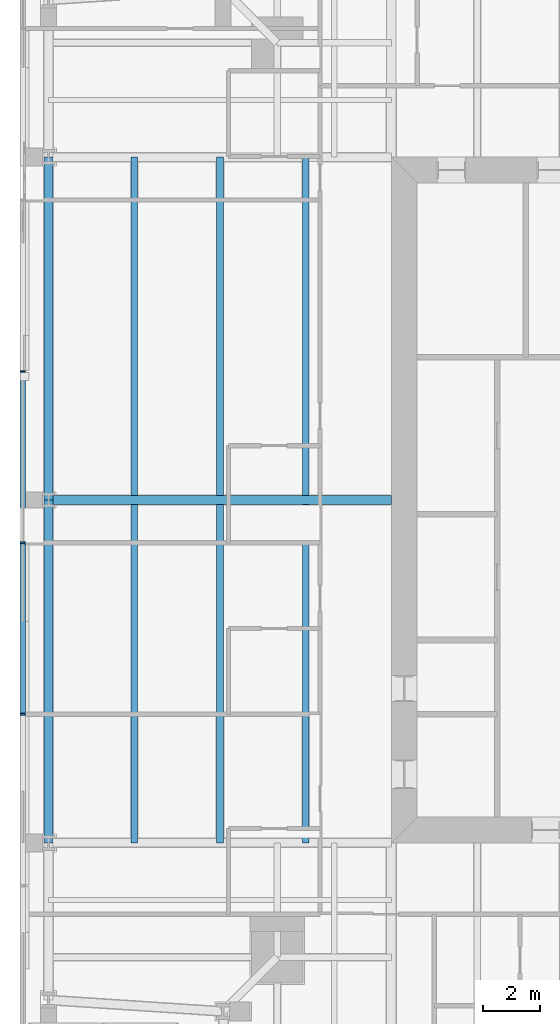
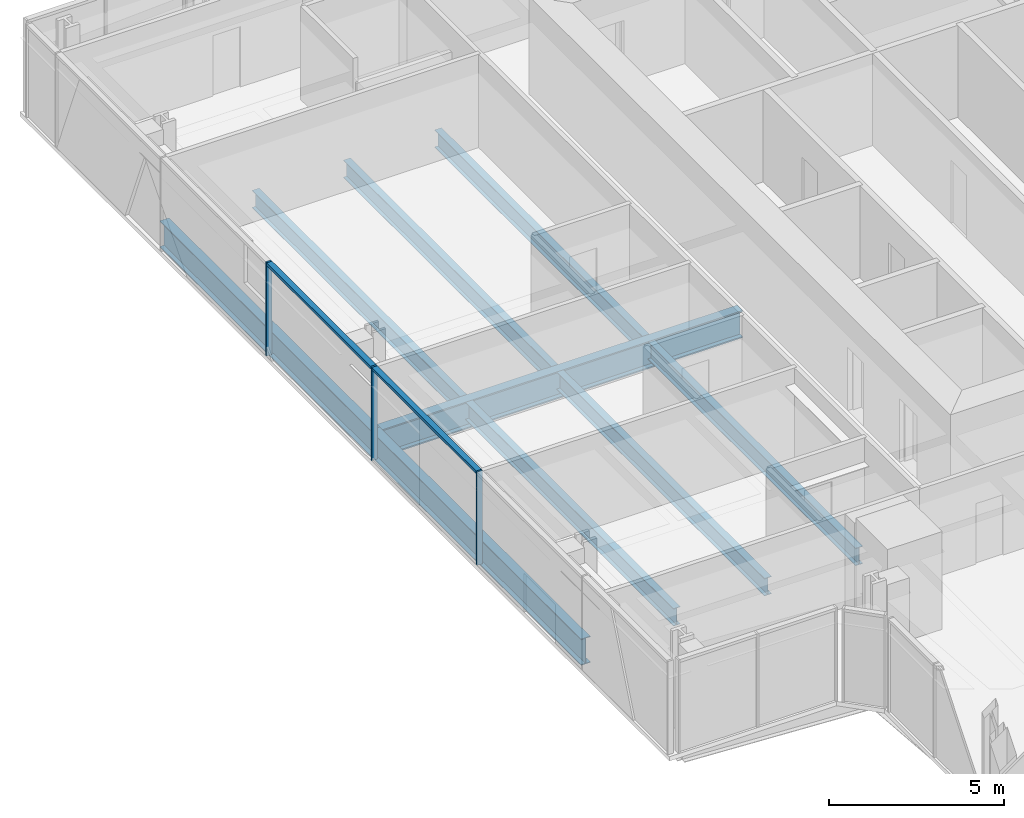
# One storey, part 4 of 18: 9 beams, 5 members, 1 element without a shape of its own.
"""IFC4 building model written with IfcOpenShell, lengths in metres."""

from ifc_helpers import new_model, si_unit, direction, frame, origin, origin_2d, place, context, subcontext, project, spatial, rectangle, i_section, extrude, material, material_profile, profile_set, type_object, element, aggregate, save


model = new_model("IFC4")

# Units and contexts
model_context = context("Model", 3, precision=1e-05, world=origin(), true_north=direction((0.0, 1.0)))
body_context = subcontext(model_context, "Body", "Model", "MODEL_VIEW")
ifc_project = project(units=[si_unit("LENGTHUNIT", "METRE"), si_unit("AREAUNIT", "SQUARE_METRE"), si_unit("VOLUMEUNIT", "CUBIC_METRE"), si_unit("PLANEANGLEUNIT", "RADIAN"), si_unit("MASSUNIT", "GRAM", prefix="KILO")], contexts=[model_context])

# Site, building, storey
site_placement = place(None, origin())
site = spatial("IfcSite", under=ifc_project, at=site_placement, CompositionType="ELEMENT")
building_placement = place(site_placement, origin())
building = spatial("IfcBuilding", under=site, at=building_placement, Name="Fenwick Lantern Interchange", CompositionType="ELEMENT")
storey_placement = place(building_placement, frame((0.0, 0.0, 290.0)))
storey = spatial("IfcBuildingStorey", under=building, at=storey_placement, Name="L70", CompositionType="ELEMENT", Elevation=290.0)

# Beams
ifc_material_1 = material(Name="Steel ASTM A992 Grade 50", Category="steel")
ifc_material_profile_1 = material_profile(ifc_material_1, i_section(OverallWidth=0.3046875, OverallDepth=0.911865234375, WebThickness=0.015869140625, FlangeThickness=0.02392578125, at=origin_2d()), Name="W36X150")
ifc_profile_set_1 = profile_set([ifc_material_profile_1], Name="Steel ASTM A992 Grade 50")
beam_type_1 = type_object("IfcBeamType", Name="EDGE BEAM W36X150", PredefinedType="SPANDREL", material=ifc_profile_set_1)
for number, where, z_axis, x_axis, name in (
    (1, (1.0, 37.0, -0.60595703125), (0.0, -1.0, 0.0), (1.0, 0.0, 0.0), "L70/FR/W/EB2"),
    (2, (1.0, 25.0, -0.60595703125), (0.0, -1.0, 0.0), (1.0, 0.0, 0.0), "L70/FR/W/EB3"),
):
    element("IfcBeam", number, at=place(storey_placement, frame(where, z_axis=z_axis, x_axis=x_axis)), inside=storey, type_object=beam_type_1, Name=name, PredefinedType="SPANDREL", context=body_context, shape_type="SweptSolid", body=[
        extrude(i_section(OverallWidth=0.3046875, OverallDepth=0.911865234375, WebThickness=0.015869140625, FlangeThickness=0.02392578125, at=origin_2d()), origin(), (0.0, 0.0, 1.0), 12.0),
    ])
ifc_material_profile_2 = material_profile(ifc_material_1, i_section(OverallWidth=0.22900390625, OverallDepth=0.612060546875, WebThickness=0.011962890625, FlangeThickness=0.01953125, at=origin_2d()), Name="W24X84")
ifc_profile_set_2 = profile_set([ifc_material_profile_2], Name="Steel ASTM A992 Grade 50")
beam_type_2 = type_object("IfcBeamType", Name="FLOOR BEAM W24X84", PredefinedType="BEAM", material=ifc_profile_set_2)
for number, where, z_axis, x_axis, name in (
    (3, (4.0, 37.0, -0.4560546875), (0.0, -1.0, 0.0), (1.0, 0.0, 0.0), "L70/FR/W/B01"),
    (4, (7.0, 37.0, -0.4560546875), (0.0, -1.0, 0.0), (1.0, 0.0, 0.0), "L70/FR/W/B02"),
    (5, (10.0, 37.0, -0.4560546875), (0.0, -1.0, 0.0), (1.0, 0.0, 0.0), "L70/FR/W/B03"),
    (6, (4.0, 24.844970703125, -0.4560546875), (0.0, -1.0, 0.0), (1.0, 0.0, 0.0), "L70/FR/W/B04"),
    (7, (7.0, 24.844970703125, -0.4560546875), (0.0, -1.0, 0.0), (1.0, 0.0, 0.0), "L70/FR/W/B05"),
    (8, (10.0, 24.844970703125, -0.4560546875), (0.0, -1.0, 0.0), (1.0, 0.0, 0.0), "L70/FR/W/B06"),
):
    element("IfcBeam", number, at=place(storey_placement, frame(where, z_axis=z_axis, x_axis=x_axis)), inside=storey, type_object=beam_type_2, Name=name, PredefinedType="BEAM", context=body_context, shape_type="SweptSolid", body=[
        extrude(i_section(OverallWidth=0.22900390625, OverallDepth=0.612060546875, WebThickness=0.011962890625, FlangeThickness=0.01953125, at=origin_2d()), origin(), (0.0, 0.0, 1.0), 11.844970703125),
    ])

# Curtain wall, members
ifc_material_2 = material(Name="Aluminium curtain wall frame", Category="aluminium")
curtain_wall_type = type_object("IfcCurtainWallType", Name="HOTEL CURTAIN WALL", PredefinedType="USERDEFINED", material=ifc_material_2)
curtain_wall_placement = place(storey_placement, origin())
curtain_wall = element("IfcCurtainWall", 9, at=curtain_wall_placement, inside=storey, type_object=curtain_wall_type, Name="Hotel curtain wall 13", ObjectType="HOTEL CURTAIN WALL", PredefinedType="USERDEFINED")
ifc_material_3 = material(Name="Aluminium extrusion", Category="aluminium")
ifc_material_profile_3 = material_profile(ifc_material_3, rectangle(XDim=0.179931640625, YDim=0.06005859375, at=origin_2d()), Name="HOTEL CURTAIN WALL MULLION 60 X 180")
ifc_profile_set_3 = profile_set([ifc_material_profile_3], Name="Aluminium extrusion")
member_type_1 = type_object("IfcMemberType", Name="HOTEL CURTAIN WALL MULLION 60 X 180", PredefinedType="MULLION", material=ifc_profile_set_3)
member_1_placement = place(storey_placement, frame((0.10009765625, 29.5, 0.0), z_axis=(0.0, 0.0, 1.0), x_axis=(1.0, 0.0, 0.0)))
member_1 = element("IfcMember", 10, at=member_1_placement, type_object=member_type_1, Name="L70/CW/13/M03", PredefinedType="MULLION", context=body_context, shape_type="SweptSolid", body=[
    extrude(rectangle(XDim=0.179931640625, YDim=0.06005859375, at=origin_2d()), origin(), (0.0, 0.0, 1.0), 3.25),
])
member_2_placement = place(storey_placement, frame((0.10009765625, 23.5, 0.0), z_axis=(0.0, 0.0, 1.0), x_axis=(1.0, 0.0, 0.0)))
member_2 = element("IfcMember", 11, at=member_2_placement, type_object=member_type_1, Name="L70/CW/13/M04", PredefinedType="MULLION", context=body_context, shape_type="SweptSolid", body=[
    extrude(rectangle(XDim=0.179931640625, YDim=0.06005859375, at=origin_2d()), origin(), (0.0, 0.0, 1.0), 3.25),
])
member_3_placement = place(storey_placement, frame((0.10009765625, 17.5, 0.0), z_axis=(0.0, 0.0, 1.0), x_axis=(1.0, 0.0, 0.0)))
member_3 = element("IfcMember", 12, at=member_3_placement, type_object=member_type_1, Name="L70/CW/13/M05", PredefinedType="MULLION", context=body_context, shape_type="SweptSolid", body=[
    extrude(rectangle(XDim=0.179931640625, YDim=0.06005859375, at=origin_2d()), origin(), (0.0, 0.0, 1.0), 3.25),
])
ifc_material_profile_4 = material_profile(ifc_material_3, rectangle(XDim=0.179931640625, YDim=0.10009765625, at=origin_2d()), Name="HOTEL CURTAIN WALL TRANSOM 100 X 180")
ifc_profile_set_4 = profile_set([ifc_material_profile_4], Name="Aluminium extrusion")
member_type_2 = type_object("IfcMemberType", Name="HOTEL CURTAIN WALL TRANSOM 100 X 180", PredefinedType="MULLION", material=ifc_profile_set_4)
member_4_placement = place(storey_placement, frame((0.10009765625, 29.469970703125, 3.199951171875), z_axis=(0.0, -1.0, 0.0), x_axis=(1.0, 0.0, 0.0)))
member_4 = element("IfcMember", 13, at=member_4_placement, type_object=member_type_2, Name="L70/CW/13/T03", PredefinedType="MULLION", context=body_context, shape_type="SweptSolid", body=[
    extrude(rectangle(XDim=0.179931640625, YDim=0.10009765625, at=origin_2d()), origin(), (0.0, 0.0, 1.0), 5.93994140625),
])
member_5_placement = place(storey_placement, frame((0.10009765625, 23.469970703125, 3.199951171875), z_axis=(0.0, -1.0, 0.0), x_axis=(1.0, 0.0, 0.0)))
member_5 = element("IfcMember", 14, at=member_5_placement, type_object=member_type_2, Name="L70/CW/13/T04", PredefinedType="MULLION", context=body_context, shape_type="SweptSolid", body=[
    extrude(rectangle(XDim=0.179931640625, YDim=0.10009765625, at=origin_2d()), origin(), (0.0, 0.0, 1.0), 5.93994140625),
])
aggregate(curtain_wall, [member_1, member_2, member_3, member_4, member_5])

# Beam
ifc_material_profile_5 = material_profile(ifc_material_1, i_section(OverallWidth=0.309814453125, OverallDepth=0.949951171875, WebThickness=0.0244140625, FlangeThickness=0.0439453125, at=origin_2d()), Name="W36X256")
ifc_profile_set_5 = profile_set([ifc_material_profile_5], Name="Steel ASTM A992 Grade 50")
beam_type_3 = type_object("IfcBeamType", Name="MOMENT-CONNECTED GIRDER W36X256", PredefinedType="BEAM", material=ifc_profile_set_5)
beam_placement = place(storey_placement, frame((1.0, 25.0, -0.625), z_axis=(1.0, 0.0, 0.0), x_axis=(0.0, 1.0, 0.0)))
element("IfcBeam", 15, at=beam_placement, inside=storey, type_object=beam_type_3, Name="L70/FR/W/R02", PredefinedType="BEAM", context=body_context, shape_type="SweptSolid", body=[
    extrude(i_section(OverallWidth=0.309814453125, OverallDepth=0.949951171875, WebThickness=0.0244140625, FlangeThickness=0.0439453125, at=origin_2d()), origin(), (0.0, 0.0, 1.0), 12.0),
])

save(model, "model.ifc")
